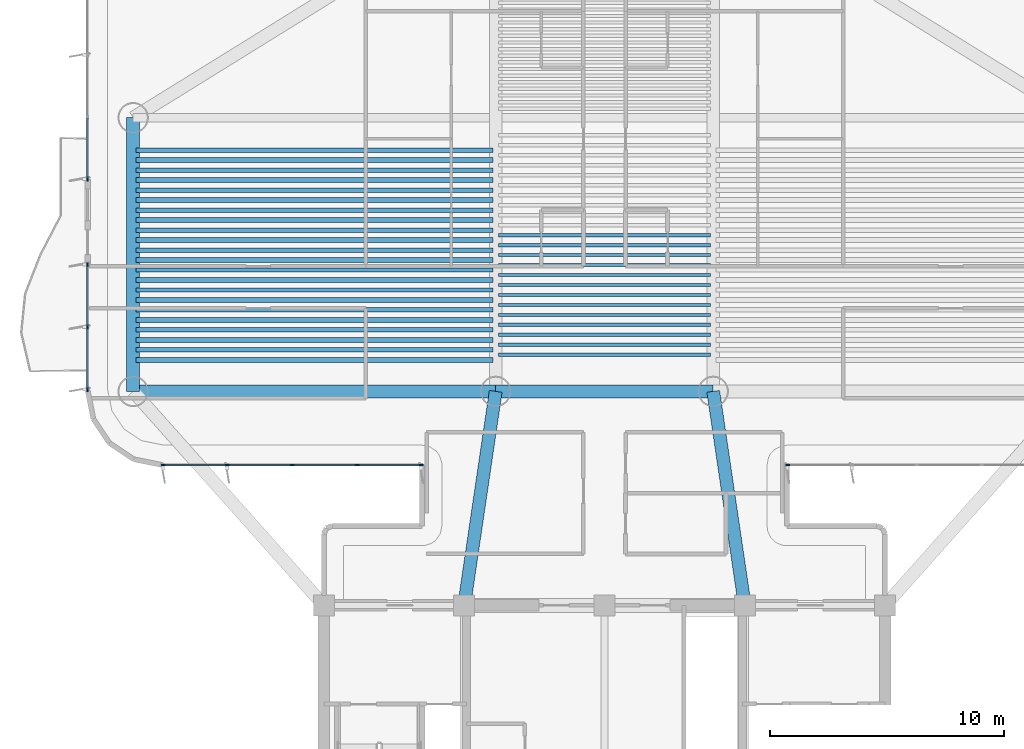
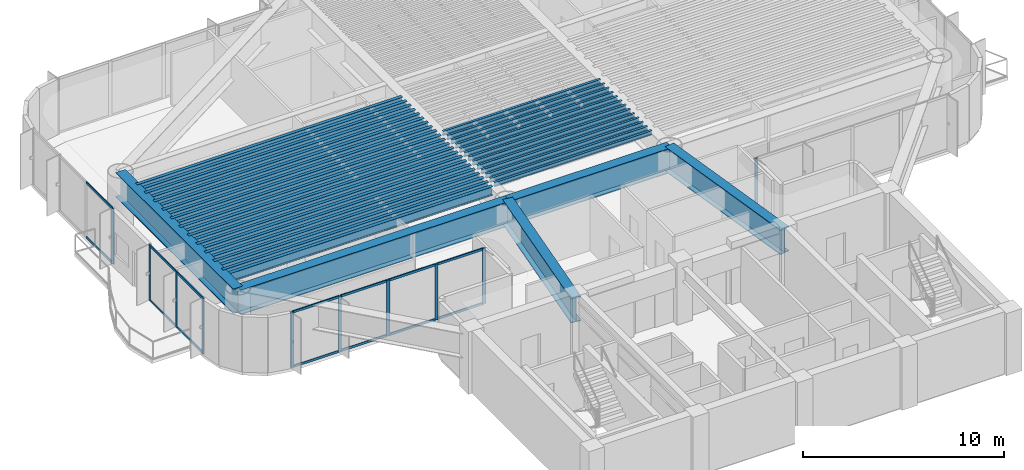
# One storey, part 2 of 15: 40 beams, 24 members, 4 elements without a shape of their own.
"""IFC4 building model written with IfcOpenShell, lengths in metres."""

from ifc_helpers import new_model, si_unit, direction, frame, origin, origin_2d, place, context, subcontext, project, spatial, rectangle, i_section, extrude, source, transform, mapped, material, layer, layer_set, material_profile, profile_set, type_object, element, aggregate, save


model = new_model("IFC4")

# Units and contexts
model_context = context("Model", 3, precision=1e-05, world=origin(), true_north=direction((0.0, 1.0)))
body_context = subcontext(model_context, "Body", "Model", "MODEL_VIEW")
ifc_project = project(units=[si_unit("LENGTHUNIT", "METRE"), si_unit("AREAUNIT", "SQUARE_METRE"), si_unit("VOLUMEUNIT", "CUBIC_METRE"), si_unit("PLANEANGLEUNIT", "RADIAN"), si_unit("MASSUNIT", "GRAM", prefix="KILO")], contexts=[model_context])

# Site, building, storey
site_placement = place(None, origin())
site = spatial("IfcSite", under=ifc_project, at=site_placement, CompositionType="ELEMENT")
building_placement = place(site_placement, origin())
building = spatial("IfcBuilding", under=site, at=building_placement, Name="Brelvock Crest Care Tower", CompositionType="ELEMENT")
storey_placement = place(building_placement, frame((0.0, 0.0, 142.739990234375)))
storey = spatial("IfcBuildingStorey", under=building, at=storey_placement, Name="L36", CompositionType="ELEMENT", Elevation=142.739990234375)

# Beams
ifc_material_1 = material(Name="Steel Grade 350", Category="steel")
ifc_material_profile_1 = material_profile(ifc_material_1, i_section(OverallWidth=0.14599609375, OverallDepth=0.256103515625, WebThickness=0.00634765625, FlangeThickness=0.010986328125, FilletRadius=0.0087890625, at=origin_2d()), Name="250UB37.3")
ifc_profile_set_1 = profile_set([ifc_material_profile_1], Name="Steel Grade 350")
beam_type_1 = type_object("IfcBeamType", Name="BM-J3", PredefinedType="JOIST", material=ifc_profile_set_1)
shared_shape_1 = source(origin(), body_context, "Body", "SweptSolid", [
    extrude(i_section(OverallWidth=0.14599609375, OverallDepth=0.256103515625, WebThickness=0.00634765625, FlangeThickness=0.010986328125, FilletRadius=0.0087890625, at=origin_2d()), origin(), (0.0, 0.0, 1.0), 9.06982421875),
])
for number, where, z_axis, x_axis, name in (
    (1, (31.465087890625, 28.708984375, 3.243896484375), (1.0, 0.0, 0.0), (0.0, 1.0, 0.0), "BM-JH-L36-3"),
    (2, (31.465087890625, 29.135986328125, 3.243896484375), (1.0, 0.0, 0.0), (0.0, 1.0, 0.0), "BM-JH-L36-4"),
    (3, (31.465087890625, 29.56298828125, 3.243896484375), (1.0, 0.0, 0.0), (0.0, 1.0, 0.0), "BM-JH-L36-5"),
    (4, (31.465087890625, 29.990234375, 3.243896484375), (1.0, 0.0, 0.0), (0.0, 1.0, 0.0), "BM-JH-L36-6"),
    (5, (31.465087890625, 30.417236328125, 3.243896484375), (1.0, 0.0, 0.0), (0.0, 1.0, 0.0), "BM-JH-L36-7"),
    (6, (31.465087890625, 30.84423828125, 3.243896484375), (1.0, 0.0, 0.0), (0.0, 1.0, 0.0), "BM-JH-L36-8"),
    (7, (31.465087890625, 31.271240234375, 3.243896484375), (1.0, 0.0, 0.0), (0.0, 1.0, 0.0), "BM-JH-L36-9"),
    (8, (31.465087890625, 31.698486328125, 3.243896484375), (1.0, 0.0, 0.0), (0.0, 1.0, 0.0), "BM-JH-L36-10"),
    (9, (31.465087890625, 32.12548828125, 3.243896484375), (1.0, 0.0, 0.0), (0.0, 1.0, 0.0), "BM-JH-L36-11"),
    (10, (31.465087890625, 32.552490234375, 3.243896484375), (1.0, 0.0, 0.0), (0.0, 1.0, 0.0), "BM-JH-L36-12"),
    (11, (31.465087890625, 32.9794921875, 3.243896484375), (1.0, 0.0, 0.0), (0.0, 1.0, 0.0), "BM-JH-L36-13"),
    (12, (31.465087890625, 33.406494140625, 3.243896484375), (1.0, 0.0, 0.0), (0.0, 1.0, 0.0), "BM-JH-L36-14"),
    (13, (31.465087890625, 33.83349609375, 3.243896484375), (1.0, 0.0, 0.0), (0.0, 1.0, 0.0), "BM-JH-L36-15"),
):
    element("IfcBeam", number, at=place(storey_placement, frame(where, z_axis=z_axis, x_axis=x_axis)), inside=storey, type_object=beam_type_1, Name=name, PredefinedType="JOIST", context=body_context, shape_type="MappedRepresentation", body=[
        mapped(shared_shape_1, transform((0.0, 0.0, 0.0), x_axis=(1.0, 0.0, 0.0), y_axis=(0.0, 1.0, 0.0), z_axis=(0.0, 0.0, 1.0), scale=1.0)),
    ])
ifc_material_profile_2 = material_profile(ifc_material_1, i_section(OverallWidth=0.550048828125, OverallDepth=1.5, WebThickness=0.02392578125, FlangeThickness=0.044921875, at=origin_2d()), Name="1500TG580")
ifc_profile_set_2 = profile_set([ifc_material_profile_2], Name="Steel Grade 350")
beam_type_2 = type_object("IfcBeamType", Name="BM-TG2", PredefinedType="USERDEFINED", material=ifc_profile_set_2)
shared_shape_2 = source(origin(), body_context, "Body", "SweptSolid", [
    extrude(i_section(OverallWidth=0.550048828125, OverallDepth=1.5, WebThickness=0.02392578125, FlangeThickness=0.044921875, at=origin_2d()), origin(), (0.0, 0.0, 1.0), 9.2998046875),
])
beam_1_placement = place(storey_placement, frame((31.35009765625, 27.14990234375, 2.6220703125), z_axis=(1.0, 0.0, 0.0), x_axis=(0.0, 1.0, 0.0)))
element("IfcBeam", 14, at=beam_1_placement, inside=storey, type_object=beam_type_2, Name="BM-TWR-L36-05", ObjectType="GIRDER", PredefinedType="USERDEFINED", context=body_context, shape_type="MappedRepresentation", body=[
    mapped(shared_shape_2, transform((0.0, 0.0, 0.0), x_axis=(1.0, 0.0, 0.0), y_axis=(0.0, 1.0, 0.0), z_axis=(0.0, 0.0, 1.0), scale=1.0)),
])
ifc_material_profile_3 = material_profile(ifc_material_1, i_section(OverallWidth=0.208984375, OverallDepth=0.532958984375, WebThickness=0.01025390625, FlangeThickness=0.015625, FilletRadius=0.013916015625, at=origin_2d()), Name="530UB92.4")
ifc_profile_set_3 = profile_set([ifc_material_profile_3], Name="Steel Grade 350")
beam_type_3 = type_object("IfcBeamType", Name="BM-G2", PredefinedType="BEAM", material=ifc_profile_set_3)
shared_shape_3 = source(origin(), body_context, "Body", "SweptSolid", [
    extrude(i_section(OverallWidth=0.208984375, OverallDepth=0.532958984375, WebThickness=0.01025390625, FlangeThickness=0.015625, FilletRadius=0.013916015625, at=origin_2d()), origin(), (0.0, 0.0, 1.0), 15.27001953125),
])
for number, where, z_axis, x_axis, name in (
    (15, (15.965087890625, 28.49560546875, 3.10546875), (1.0, 0.0, 0.0), (0.0, 1.0, 0.0), "BM-JW-L36-3"),
    (16, (15.965087890625, 29.349609375, 3.10546875), (1.0, 0.0, 0.0), (0.0, 1.0, 0.0), "BM-JW-L36-5"),
    (17, (15.965087890625, 30.20361328125, 3.10546875), (1.0, 0.0, 0.0), (0.0, 1.0, 0.0), "BM-JW-L36-7"),
    (18, (15.965087890625, 31.057861328125, 3.10546875), (1.0, 0.0, 0.0), (0.0, 1.0, 0.0), "BM-JW-L36-9"),
    (19, (15.965087890625, 31.911865234375, 3.10546875), (1.0, 0.0, 0.0), (0.0, 1.0, 0.0), "BM-JW-L36-11"),
    (20, (15.965087890625, 32.76611328125, 3.10546875), (1.0, 0.0, 0.0), (0.0, 1.0, 0.0), "BM-JW-L36-13"),
    (21, (15.965087890625, 33.6201171875, 3.10546875), (1.0, 0.0, 0.0), (0.0, 1.0, 0.0), "BM-JW-L36-15"),
    (22, (15.965087890625, 34.47412109375, 3.10546875), (1.0, 0.0, 0.0), (0.0, 1.0, 0.0), "BM-JW-L36-17"),
    (23, (15.965087890625, 35.328369140625, 3.10546875), (1.0, 0.0, 0.0), (0.0, 1.0, 0.0), "BM-JW-L36-19"),
    (24, (15.965087890625, 36.182373046875, 3.10546875), (1.0, 0.0, 0.0), (0.0, 1.0, 0.0), "BM-JW-L36-21"),
    (25, (15.965087890625, 37.03662109375, 3.10546875), (1.0, 0.0, 0.0), (0.0, 1.0, 0.0), "BM-JW-L36-23"),
):
    element("IfcBeam", number, at=place(storey_placement, frame(where, z_axis=z_axis, x_axis=x_axis)), inside=storey, type_object=beam_type_3, Name=name, PredefinedType="BEAM", context=body_context, shape_type="MappedRepresentation", body=[
        mapped(shared_shape_3, transform((0.0, 0.0, 0.0), x_axis=(1.0, 0.0, 0.0), y_axis=(0.0, 1.0, 0.0), z_axis=(0.0, 0.0, 1.0), scale=1.0)),
    ])
ifc_material_profile_4 = material_profile(ifc_material_1, i_section(OverallWidth=0.19091796875, OverallDepth=0.4599609375, WebThickness=0.010009765625, FlangeThickness=0.01611328125, FilletRadius=0.011474609375, at=origin_2d()), Name="460UB82.1")
ifc_profile_set_4 = profile_set([ifc_material_profile_4], Name="Steel Grade 350")
beam_type_4 = type_object("IfcBeamType", Name="BM-G3", PredefinedType="BEAM", material=ifc_profile_set_4)
shared_shape_4 = source(origin(), body_context, "Body", "SweptSolid", [
    extrude(i_section(OverallWidth=0.19091796875, OverallDepth=0.4599609375, WebThickness=0.010009765625, FlangeThickness=0.01611328125, FilletRadius=0.011474609375, at=origin_2d()), origin(), (0.0, 0.0, 1.0), 15.27001953125),
])
for number, where, z_axis, x_axis, name in (
    (26, (15.965087890625, 28.922607421875, 3.14208984375), (1.0, 0.0, 0.0), (0.0, 1.0, 0.0), "BM-JW-L36-4"),
    (27, (15.965087890625, 29.776611328125, 3.14208984375), (1.0, 0.0, 0.0), (0.0, 1.0, 0.0), "BM-JW-L36-6"),
    (28, (15.965087890625, 30.630615234375, 3.14208984375), (1.0, 0.0, 0.0), (0.0, 1.0, 0.0), "BM-JW-L36-8"),
    (29, (15.965087890625, 31.48486328125, 3.14208984375), (1.0, 0.0, 0.0), (0.0, 1.0, 0.0), "BM-JW-L36-10"),
    (30, (15.965087890625, 32.3388671875, 3.14208984375), (1.0, 0.0, 0.0), (0.0, 1.0, 0.0), "BM-JW-L36-12"),
    (31, (15.965087890625, 33.193115234375, 3.14208984375), (1.0, 0.0, 0.0), (0.0, 1.0, 0.0), "BM-JW-L36-14"),
    (32, (15.965087890625, 34.047119140625, 3.14208984375), (1.0, 0.0, 0.0), (0.0, 1.0, 0.0), "BM-JW-L36-16"),
    (33, (15.965087890625, 34.901123046875, 3.14208984375), (1.0, 0.0, 0.0), (0.0, 1.0, 0.0), "BM-JW-L36-18"),
    (34, (15.965087890625, 35.75537109375, 3.14208984375), (1.0, 0.0, 0.0), (0.0, 1.0, 0.0), "BM-JW-L36-20"),
    (35, (15.965087890625, 36.609619140625, 3.14208984375), (1.0, 0.0, 0.0), (0.0, 1.0, 0.0), "BM-JW-L36-22"),
    (36, (15.965087890625, 37.46337890625, 3.14208984375), (1.0, 0.0, 0.0), (0.0, 1.0, 0.0), "BM-JW-L36-24"),
):
    element("IfcBeam", number, at=place(storey_placement, frame(where, z_axis=z_axis, x_axis=x_axis)), inside=storey, type_object=beam_type_4, Name=name, PredefinedType="BEAM", context=body_context, shape_type="MappedRepresentation", body=[
        mapped(shared_shape_4, transform((0.0, 0.0, 0.0), x_axis=(1.0, 0.0, 0.0), y_axis=(0.0, 1.0, 0.0), z_axis=(0.0, 0.0, 1.0), scale=1.0)),
    ])
shared_shape_5 = source(origin(), body_context, "Body", "SweptSolid", [
    extrude(i_section(OverallWidth=0.550048828125, OverallDepth=1.5, WebThickness=0.02392578125, FlangeThickness=0.044921875, at=origin_2d()), origin(), (0.0, 0.0, 1.0), 11.7001953125),
])
beam_2_placement = place(storey_placement, frame((15.85009765625, 27.14990234375, 2.6220703125), z_axis=(0.0, 1.0, 0.0), x_axis=(-1.0, 0.0, 0.0)))
element("IfcBeam", 37, at=beam_2_placement, inside=storey, type_object=beam_type_2, Name="BM-TWR-L36-01", ObjectType="GIRDER", PredefinedType="USERDEFINED", context=body_context, shape_type="MappedRepresentation", body=[
    mapped(shared_shape_5, transform((0.0, 0.0, 0.0), x_axis=(1.0, 0.0, 0.0), y_axis=(0.0, 1.0, 0.0), z_axis=(0.0, 0.0, 1.0), scale=1.0)),
])
shared_shape_6 = source(origin(), body_context, "Body", "SweptSolid", [
    extrude(i_section(OverallWidth=0.550048828125, OverallDepth=1.5, WebThickness=0.02392578125, FlangeThickness=0.044921875, at=origin_2d()), origin(), (0.0, 0.0, 1.0), 15.5),
])
beam_3_placement = place(storey_placement, frame((15.85009765625, 27.14990234375, 2.6220703125), z_axis=(1.0, 0.0, 0.0), x_axis=(0.0, 1.0, 0.0)))
element("IfcBeam", 38, at=beam_3_placement, inside=storey, type_object=beam_type_2, Name="BM-TWR-L36-03", ObjectType="GIRDER", PredefinedType="USERDEFINED", context=body_context, shape_type="MappedRepresentation", body=[
    mapped(shared_shape_6, transform((0.0, 0.0, 0.0), x_axis=(1.0, 0.0, 0.0), y_axis=(0.0, 1.0, 0.0), z_axis=(0.0, 0.0, 1.0), scale=1.0)),
])
shared_shape_7 = source(origin(), body_context, "Body", "SweptSolid", [
    extrude(i_section(OverallWidth=0.550048828125, OverallDepth=1.5, WebThickness=0.02392578125, FlangeThickness=0.044921875, at=origin_2d()), origin(), (0.0, 0.0, 1.0), 9.2490234375),
])
for number, where, z_axis, x_axis, name in (
    (39, (30.0, 18.0, 2.6220703125), (0.145972731602, 0.989288613918, 0.0), (-0.989288613918, 0.145972731602, 0.0), "BM-THRW-L36"),
    (40, (42.0, 18.0, 2.6220703125), (-0.145972731602, 0.989288613918, 0.0), (-0.989288613918, -0.145972731602, 0.0), "BM-THRE-L36"),
):
    element("IfcBeam", number, at=place(storey_placement, frame(where, z_axis=z_axis, x_axis=x_axis)), inside=storey, type_object=beam_type_2, Name=name, ObjectType="GIRDER", PredefinedType="USERDEFINED", context=body_context, shape_type="MappedRepresentation", body=[
        mapped(shared_shape_7, transform((0.0, 0.0, 0.0), x_axis=(1.0, 0.0, 0.0), y_axis=(0.0, 1.0, 0.0), z_axis=(0.0, 0.0, 1.0), scale=1.0)),
    ])

# Curtain wall, members
ifc_material_2 = material(Name="Dark Glass Double Glazed Low-E", Category="glass")
ifc_layer = layer(ifc_material_2, 0.2099609375, Name="CWS-3")
ifc_layer_set = layer_set([ifc_layer], Name="Dark Glass Double Glazed Low-E")
curtain_wall_type = type_object("IfcCurtainWallType", Name="CWS-3", PredefinedType="NOTDEFINED", material=ifc_layer_set)
curtain_wall_1_placement = place(storey_placement, origin())
curtain_wall_1 = element("IfcCurtainWall", 41, at=curtain_wall_1_placement, inside=storey, type_object=curtain_wall_type, Name="L36 Curtain Wall E12", PredefinedType="NOTDEFINED")
ifc_material_3 = material(Name="Aluminium 6063-T6", Category="aluminium")
ifc_material_profile_5 = material_profile(ifc_material_3, rectangle(XDim=0.06005859375, YDim=0.139892578125, at=origin_2d()), Name="ALU60x140")
ifc_profile_set_5 = profile_set([ifc_material_profile_5], Name="Aluminium 6063-T6")
member_type_1 = type_object("IfcMemberType", Name="CWT-2", PredefinedType="USERDEFINED", material=ifc_profile_set_5)
shared_shape_8 = source(origin(), body_context, "Body", "SweptSolid", [
    extrude(rectangle(XDim=0.06005859375, YDim=0.139892578125, at=origin_2d()), origin(), (0.0, 0.0, 1.0), 2.684814453125),
])
member_1_placement = place(storey_placement, frame((28.139892578125, 24.0, 0.030029296875), z_axis=(-1.0, 0.0, 0.0), x_axis=(0.0, -1.0, 0.0)))
member_1 = element("IfcMember", 42, at=member_1_placement, type_object=member_type_1, Name="CW-3 transom 1.1", ObjectType="TRANSOM", PredefinedType="USERDEFINED", context=body_context, shape_type="MappedRepresentation", body=[
    mapped(shared_shape_8, transform((0.0, 0.0, 0.0), x_axis=(1.0, 0.0, 0.0), y_axis=(0.0, 1.0, 0.0), z_axis=(0.0, 0.0, 1.0), scale=1.0)),
])
member_2_placement = place(storey_placement, frame((28.139892578125, 24.0, 3.342041015625), z_axis=(-1.0, 0.0, 0.0), x_axis=(0.0, -1.0, 0.0)))
member_2 = element("IfcMember", 43, at=member_2_placement, type_object=member_type_1, Name="CW-3 transom 1.2", ObjectType="TRANSOM", PredefinedType="USERDEFINED", context=body_context, shape_type="MappedRepresentation", body=[
    mapped(shared_shape_8, transform((0.0, 0.0, 0.0), x_axis=(1.0, 0.0, 0.0), y_axis=(0.0, 1.0, 0.0), z_axis=(0.0, 0.0, 1.0), scale=1.0)),
])
shared_shape_9 = source(origin(), body_context, "Body", "SweptSolid", [
    extrude(rectangle(XDim=0.06005859375, YDim=0.139892578125, at=origin_2d()), origin(), (0.0, 0.0, 1.0), 2.715087890625),
])
member_3_placement = place(storey_placement, frame((25.39501953125, 24.0, 0.030029296875), z_axis=(-1.0, 0.0, 0.0), x_axis=(0.0, -1.0, 0.0)))
member_3 = element("IfcMember", 44, at=member_3_placement, type_object=member_type_1, Name="CW-3 transom 2.1", ObjectType="TRANSOM", PredefinedType="USERDEFINED", context=body_context, shape_type="MappedRepresentation", body=[
    mapped(shared_shape_9, transform((0.0, 0.0, 0.0), x_axis=(1.0, 0.0, 0.0), y_axis=(0.0, 1.0, 0.0), z_axis=(0.0, 0.0, 1.0), scale=1.0)),
])
member_4_placement = place(storey_placement, frame((25.39501953125, 24.0, 3.342041015625), z_axis=(-1.0, 0.0, 0.0), x_axis=(0.0, -1.0, 0.0)))
member_4 = element("IfcMember", 45, at=member_4_placement, type_object=member_type_1, Name="CW-3 transom 2.2", ObjectType="TRANSOM", PredefinedType="USERDEFINED", context=body_context, shape_type="MappedRepresentation", body=[
    mapped(shared_shape_9, transform((0.0, 0.0, 0.0), x_axis=(1.0, 0.0, 0.0), y_axis=(0.0, 1.0, 0.0), z_axis=(0.0, 0.0, 1.0), scale=1.0)),
])
member_5_placement = place(storey_placement, frame((22.6201171875, 24.0, 0.030029296875), z_axis=(-1.0, 0.0, 0.0), x_axis=(0.0, -1.0, 0.0)))
member_5 = element("IfcMember", 46, at=member_5_placement, type_object=member_type_1, Name="CW-3 transom 3.1", ObjectType="TRANSOM", PredefinedType="USERDEFINED", context=body_context, shape_type="MappedRepresentation", body=[
    mapped(shared_shape_9, transform((0.0, 0.0, 0.0), x_axis=(1.0, 0.0, 0.0), y_axis=(0.0, 1.0, 0.0), z_axis=(0.0, 0.0, 1.0), scale=1.0)),
])
member_6_placement = place(storey_placement, frame((22.6201171875, 24.0, 3.342041015625), z_axis=(-1.0, 0.0, 0.0), x_axis=(0.0, -1.0, 0.0)))
member_6 = element("IfcMember", 47, at=member_6_placement, type_object=member_type_1, Name="CW-3 transom 3.2", ObjectType="TRANSOM", PredefinedType="USERDEFINED", context=body_context, shape_type="MappedRepresentation", body=[
    mapped(shared_shape_9, transform((0.0, 0.0, 0.0), x_axis=(1.0, 0.0, 0.0), y_axis=(0.0, 1.0, 0.0), z_axis=(0.0, 0.0, 1.0), scale=1.0)),
])
shared_shape_10 = source(origin(), body_context, "Body", "SweptSolid", [
    extrude(rectangle(XDim=0.06005859375, YDim=0.139892578125, at=origin_2d()), origin(), (0.0, 0.0, 1.0), 2.68505859375),
])
member_7_placement = place(storey_placement, frame((19.844970703125, 24.0, 0.030029296875), z_axis=(-1.0, 0.0, 0.0), x_axis=(0.0, -1.0, 0.0)))
member_7 = element("IfcMember", 48, at=member_7_placement, type_object=member_type_1, Name="CW-3 transom 4.1", ObjectType="TRANSOM", PredefinedType="USERDEFINED", context=body_context, shape_type="MappedRepresentation", body=[
    mapped(shared_shape_10, transform((0.0, 0.0, 0.0), x_axis=(1.0, 0.0, 0.0), y_axis=(0.0, 1.0, 0.0), z_axis=(0.0, 0.0, 1.0), scale=1.0)),
])
member_8_placement = place(storey_placement, frame((19.844970703125, 24.0, 3.342041015625), z_axis=(-1.0, 0.0, 0.0), x_axis=(0.0, -1.0, 0.0)))
member_8 = element("IfcMember", 49, at=member_8_placement, type_object=member_type_1, Name="CW-3 transom 4.2", ObjectType="TRANSOM", PredefinedType="USERDEFINED", context=body_context, shape_type="MappedRepresentation", body=[
    mapped(shared_shape_10, transform((0.0, 0.0, 0.0), x_axis=(1.0, 0.0, 0.0), y_axis=(0.0, 1.0, 0.0), z_axis=(0.0, 0.0, 1.0), scale=1.0)),
])

curtain_wall_2_placement = place(storey_placement, origin())
curtain_wall_2 = element("IfcCurtainWall", 50, at=curtain_wall_2_placement, inside=storey, type_object=curtain_wall_type, Name="L36 Curtain Wall E17A", PredefinedType="NOTDEFINED")
shared_shape_11 = source(origin(), body_context, "Body", "SweptSolid", [
    extrude(rectangle(XDim=0.06005859375, YDim=0.139892578125, at=origin_2d()), origin(), (0.0, 0.0, 1.0), 2.610107421875),
])
member_9_placement = place(storey_placement, frame((13.89990234375, 27.260009765625, 0.030029296875), z_axis=(0.0, 1.0, 0.0), x_axis=(-1.0, 0.0, 0.0)))
member_9 = element("IfcMember", 51, at=member_9_placement, type_object=member_type_1, Name="CW-3 transom 1.1", ObjectType="TRANSOM", PredefinedType="USERDEFINED", context=body_context, shape_type="MappedRepresentation", body=[
    mapped(shared_shape_11, transform((0.0, 0.0, 0.0), x_axis=(1.0, 0.0, 0.0), y_axis=(0.0, 1.0, 0.0), z_axis=(0.0, 0.0, 1.0), scale=1.0)),
])
member_10_placement = place(storey_placement, frame((13.89990234375, 27.260009765625, 3.342041015625), z_axis=(0.0, 1.0, 0.0), x_axis=(-1.0, 0.0, 0.0)))
member_10 = element("IfcMember", 52, at=member_10_placement, type_object=member_type_1, Name="CW-3 transom 1.2", ObjectType="TRANSOM", PredefinedType="USERDEFINED", context=body_context, shape_type="MappedRepresentation", body=[
    mapped(shared_shape_11, transform((0.0, 0.0, 0.0), x_axis=(1.0, 0.0, 0.0), y_axis=(0.0, 1.0, 0.0), z_axis=(0.0, 0.0, 1.0), scale=1.0)),
])
member_11_placement = place(storey_placement, frame((13.89990234375, 29.929931640625, 0.030029296875), z_axis=(0.0, 1.0, 0.0), x_axis=(-1.0, 0.0, 0.0)))
member_11 = element("IfcMember", 53, at=member_11_placement, type_object=member_type_1, Name="CW-3 transom 2.1", ObjectType="TRANSOM", PredefinedType="USERDEFINED", context=body_context, shape_type="MappedRepresentation", body=[
    mapped(shared_shape_11, transform((0.0, 0.0, 0.0), x_axis=(1.0, 0.0, 0.0), y_axis=(0.0, 1.0, 0.0), z_axis=(0.0, 0.0, 1.0), scale=1.0)),
])
member_12_placement = place(storey_placement, frame((13.89990234375, 29.929931640625, 3.342041015625), z_axis=(0.0, 1.0, 0.0), x_axis=(-1.0, 0.0, 0.0)))
member_12 = element("IfcMember", 54, at=member_12_placement, type_object=member_type_1, Name="CW-3 transom 2.2", ObjectType="TRANSOM", PredefinedType="USERDEFINED", context=body_context, shape_type="MappedRepresentation", body=[
    mapped(shared_shape_11, transform((0.0, 0.0, 0.0), x_axis=(1.0, 0.0, 0.0), y_axis=(0.0, 1.0, 0.0), z_axis=(0.0, 0.0, 1.0), scale=1.0)),
])

curtain_wall_3_placement = place(storey_placement, origin())
curtain_wall_3 = element("IfcCurtainWall", 55, at=curtain_wall_3_placement, inside=storey, type_object=curtain_wall_type, Name="L36 Curtain Wall E17B", PredefinedType="NOTDEFINED")
shared_shape_12 = source(origin(), body_context, "Body", "SweptSolid", [
    extrude(rectangle(XDim=0.06005859375, YDim=0.139892578125, at=origin_2d()), origin(), (0.0, 0.0, 1.0), 2.57666015625),
])
member_13_placement = place(storey_placement, frame((13.89990234375, 36.260009765625, 0.030029296875), z_axis=(0.0, 1.0, 0.0), x_axis=(-1.0, 0.0, 0.0)))
member_13 = element("IfcMember", 56, at=member_13_placement, type_object=member_type_1, Name="CW-3 transom 1.1", ObjectType="TRANSOM", PredefinedType="USERDEFINED", context=body_context, shape_type="MappedRepresentation", body=[
    mapped(shared_shape_12, transform((0.0, 0.0, 0.0), x_axis=(1.0, 0.0, 0.0), y_axis=(0.0, 1.0, 0.0), z_axis=(0.0, 0.0, 1.0), scale=1.0)),
])
member_14_placement = place(storey_placement, frame((13.89990234375, 36.260009765625, 3.342041015625), z_axis=(0.0, 1.0, 0.0), x_axis=(-1.0, 0.0, 0.0)))
member_14 = element("IfcMember", 57, at=member_14_placement, type_object=member_type_1, Name="CW-3 transom 1.2", ObjectType="TRANSOM", PredefinedType="USERDEFINED", context=body_context, shape_type="MappedRepresentation", body=[
    mapped(shared_shape_12, transform((0.0, 0.0, 0.0), x_axis=(1.0, 0.0, 0.0), y_axis=(0.0, 1.0, 0.0), z_axis=(0.0, 0.0, 1.0), scale=1.0)),
])

# Member
ifc_material_profile_6 = material_profile(ifc_material_3, rectangle(XDim=0.06005859375, YDim=0.179931640625, at=origin_2d()), Name="ALU60x180")
ifc_profile_set_6 = profile_set([ifc_material_profile_6], Name="Aluminium 6063-T6")
member_type_2 = type_object("IfcMemberType", Name="CWM-2", PredefinedType="MULLION", material=ifc_profile_set_6)
shared_shape_13 = source(origin(), body_context, "Body", "SweptSolid", [
    extrude(rectangle(XDim=0.06005859375, YDim=0.179931640625, at=origin_2d()), origin(), (0.0, 0.0, 1.0), 3.3720703125),
])
member_15_placement = place(storey_placement, frame((28.169921875, 24.0, 0.0), z_axis=(0.0, 0.0, 1.0), x_axis=(0.0, -1.0, 0.0)))
member_15 = element("IfcMember", 58, at=member_15_placement, type_object=member_type_2, Name="CW-3 mullion 1", PredefinedType="MULLION", context=body_context, shape_type="MappedRepresentation", body=[
    mapped(shared_shape_13, transform((0.0, 0.0, 0.0), x_axis=(1.0, 0.0, 0.0), y_axis=(0.0, 1.0, 0.0), z_axis=(0.0, 0.0, 1.0), scale=1.0)),
])

member_16_placement = place(storey_placement, frame((25.425048828125, 24.0, 0.0), z_axis=(0.0, 0.0, 1.0), x_axis=(0.0, -1.0, 0.0)))
member_16 = element("IfcMember", 59, at=member_16_placement, type_object=member_type_2, Name="CW-3 mullion 2", PredefinedType="MULLION", context=body_context, shape_type="MappedRepresentation", body=[
    mapped(shared_shape_13, transform((0.0, 0.0, 0.0), x_axis=(1.0, 0.0, 0.0), y_axis=(0.0, 1.0, 0.0), z_axis=(0.0, 0.0, 1.0), scale=1.0)),
])

member_17_placement = place(storey_placement, frame((22.64990234375, 24.0, 0.0), z_axis=(0.0, 0.0, 1.0), x_axis=(0.0, -1.0, 0.0)))
member_17 = element("IfcMember", 60, at=member_17_placement, type_object=member_type_2, Name="CW-3 mullion 3", PredefinedType="MULLION", context=body_context, shape_type="MappedRepresentation", body=[
    mapped(shared_shape_13, transform((0.0, 0.0, 0.0), x_axis=(1.0, 0.0, 0.0), y_axis=(0.0, 1.0, 0.0), z_axis=(0.0, 0.0, 1.0), scale=1.0)),
])

member_18_placement = place(storey_placement, frame((19.875, 24.0, 0.0), z_axis=(0.0, 0.0, 1.0), x_axis=(0.0, -1.0, 0.0)))
member_18 = element("IfcMember", 61, at=member_18_placement, type_object=member_type_2, Name="CW-3 mullion 4", PredefinedType="MULLION", context=body_context, shape_type="MappedRepresentation", body=[
    mapped(shared_shape_13, transform((0.0, 0.0, 0.0), x_axis=(1.0, 0.0, 0.0), y_axis=(0.0, 1.0, 0.0), z_axis=(0.0, 0.0, 1.0), scale=1.0)),
])

member_19_placement = place(storey_placement, frame((17.1298828125, 24.0, 0.0), z_axis=(0.0, 0.0, 1.0), x_axis=(0.0, -1.0, 0.0)))
member_19 = element("IfcMember", 62, at=member_19_placement, type_object=member_type_2, Name="CW-3 mullion 5", PredefinedType="MULLION", context=body_context, shape_type="MappedRepresentation", body=[
    mapped(shared_shape_13, transform((0.0, 0.0, 0.0), x_axis=(1.0, 0.0, 0.0), y_axis=(0.0, 1.0, 0.0), z_axis=(0.0, 0.0, 1.0), scale=1.0)),
])

aggregate(curtain_wall_1, [member_15, member_16, member_17, member_18, member_19, member_1, member_2, member_3, member_4, member_5, member_6, member_7, member_8])

member_20_placement = place(storey_placement, frame((13.89990234375, 27.22998046875, 0.0), z_axis=(0.0, 0.0, 1.0), x_axis=(-1.0, 0.0, 0.0)))
member_20 = element("IfcMember", 63, at=member_20_placement, type_object=member_type_2, Name="CW-3 mullion 1", PredefinedType="MULLION", context=body_context, shape_type="MappedRepresentation", body=[
    mapped(shared_shape_13, transform((0.0, 0.0, 0.0), x_axis=(1.0, 0.0, 0.0), y_axis=(0.0, 1.0, 0.0), z_axis=(0.0, 0.0, 1.0), scale=1.0)),
])

member_21_placement = place(storey_placement, frame((13.89990234375, 29.89990234375, 0.0), z_axis=(0.0, 0.0, 1.0), x_axis=(-1.0, 0.0, 0.0)))
member_21 = element("IfcMember", 64, at=member_21_placement, type_object=member_type_2, Name="CW-3 mullion 2", PredefinedType="MULLION", context=body_context, shape_type="MappedRepresentation", body=[
    mapped(shared_shape_13, transform((0.0, 0.0, 0.0), x_axis=(1.0, 0.0, 0.0), y_axis=(0.0, 1.0, 0.0), z_axis=(0.0, 0.0, 1.0), scale=1.0)),
])

member_22_placement = place(storey_placement, frame((13.89990234375, 32.570068359375, 0.0), z_axis=(0.0, 0.0, 1.0), x_axis=(-1.0, 0.0, 0.0)))
member_22 = element("IfcMember", 65, at=member_22_placement, type_object=member_type_2, Name="CW-3 mullion 3", PredefinedType="MULLION", context=body_context, shape_type="MappedRepresentation", body=[
    mapped(shared_shape_13, transform((0.0, 0.0, 0.0), x_axis=(1.0, 0.0, 0.0), y_axis=(0.0, 1.0, 0.0), z_axis=(0.0, 0.0, 1.0), scale=1.0)),
])

aggregate(curtain_wall_2, [member_20, member_21, member_22, member_9, member_10, member_11, member_12])

member_23_placement = place(storey_placement, frame((13.89990234375, 36.22998046875, 0.0), z_axis=(0.0, 0.0, 1.0), x_axis=(-1.0, 0.0, 0.0)))
member_23 = element("IfcMember", 66, at=member_23_placement, type_object=member_type_2, Name="CW-3 mullion 1", PredefinedType="MULLION", context=body_context, shape_type="MappedRepresentation", body=[
    mapped(shared_shape_13, transform((0.0, 0.0, 0.0), x_axis=(1.0, 0.0, 0.0), y_axis=(0.0, 1.0, 0.0), z_axis=(0.0, 0.0, 1.0), scale=1.0)),
])

aggregate(curtain_wall_3, [member_23, member_13, member_14])

# Curtain wall, member
curtain_wall_4_placement = place(storey_placement, origin())
curtain_wall_4 = element("IfcCurtainWall", 67, at=curtain_wall_4_placement, inside=storey, type_object=curtain_wall_type, Name="L36 Curtain Wall E44", PredefinedType="NOTDEFINED")
member_24_placement = place(storey_placement, frame((43.830078125, 24.0, 0.0), z_axis=(0.0, 0.0, 1.0), x_axis=(0.0, -1.0, 0.0)))
member_24 = element("IfcMember", 68, at=member_24_placement, type_object=member_type_2, Name="CW-3 mullion 5", PredefinedType="MULLION", context=body_context, shape_type="MappedRepresentation", body=[
    mapped(shared_shape_13, transform((0.0, 0.0, 0.0), x_axis=(1.0, 0.0, 0.0), y_axis=(0.0, 1.0, 0.0), z_axis=(0.0, 0.0, 1.0), scale=1.0)),
])
aggregate(curtain_wall_4, [member_24])

save(model, "model.ifc")
